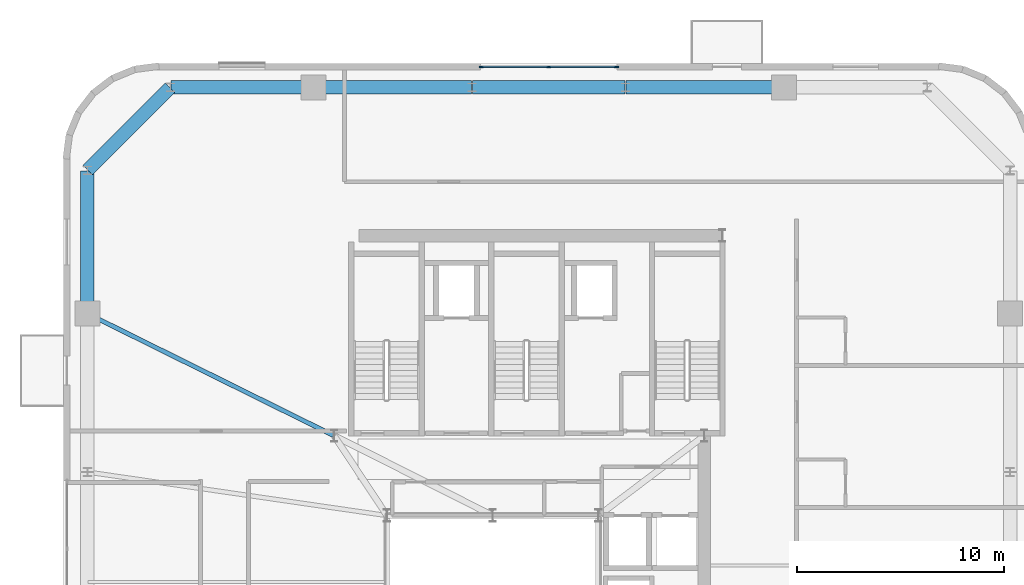
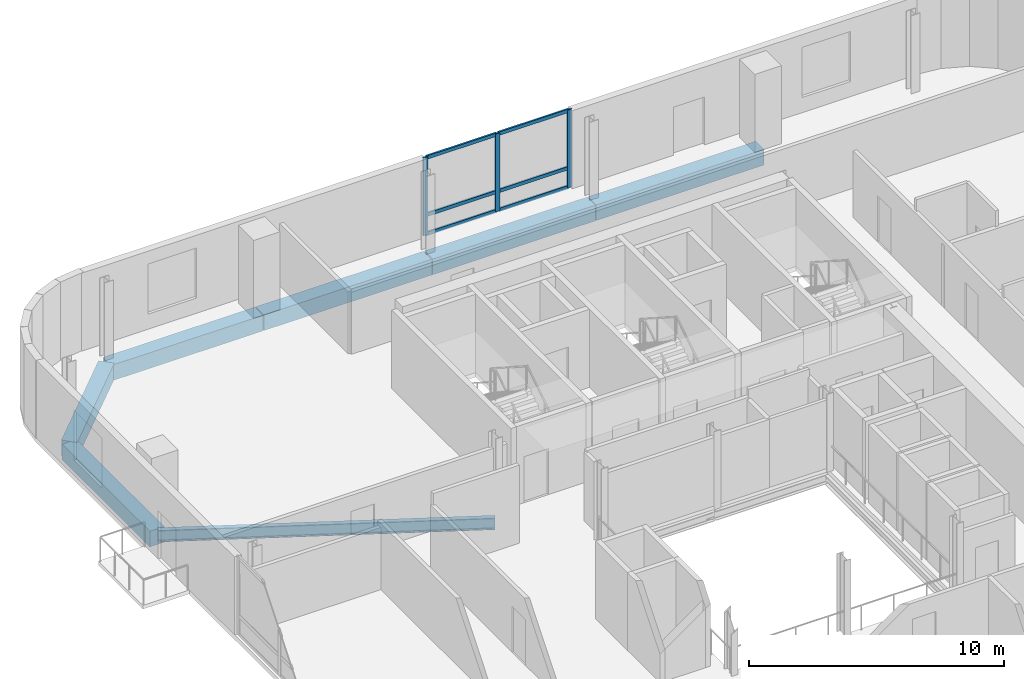
# One storey, part 6 of 15: 9 members, 7 beams, 1 element without a shape of its own.
"""IFC4 building model written with IfcOpenShell, lengths in metres."""

from ifc_helpers import new_model, si_unit, direction, frame, origin, origin_2d, place, context, subcontext, project, spatial, rectangle, i_section, extrude, source, transform, mapped, material, material_profile, profile_set, type_object, element, aggregate, save


model = new_model("IFC4")

# Units and contexts
model_context = context("Model", 3, precision=1e-05, world=origin(), true_north=direction((0.0, 1.0)))
body_context = subcontext(model_context, "Body", "Model", "MODEL_VIEW")
ifc_project = project(units=[si_unit("LENGTHUNIT", "METRE"), si_unit("AREAUNIT", "SQUARE_METRE"), si_unit("VOLUMEUNIT", "CUBIC_METRE"), si_unit("PLANEANGLEUNIT", "RADIAN"), si_unit("MASSUNIT", "GRAM", prefix="KILO")], contexts=[model_context])

# Site, building, storey
site_placement = place(None, origin())
site = spatial("IfcSite", under=ifc_project, at=site_placement, CompositionType="ELEMENT")
building_placement = place(site_placement, origin())
building = spatial("IfcBuilding", under=site, at=building_placement, Name="Vardaveli Station Tower", CompositionType="ELEMENT")
storey_placement = place(building_placement, frame((0.0, 0.0, 246.64990234375)))
storey = spatial("IfcBuildingStorey", under=building, at=storey_placement, Name="L63", CompositionType="ELEMENT", Elevation=246.64990234375)

# Beams
ifc_material_1 = material(Name="Precast concrete C45/55", Category="concrete")
ifc_material_profile_1 = material_profile(ifc_material_1, rectangle(XDim=0.64990234375, YDim=0.75, at=origin_2d()), Name="LPB 650x750")
ifc_profile_set_1 = profile_set([ifc_material_profile_1], Name="Precast concrete C45/55")
beam_type_1 = type_object("IfcBeamType", Name="BM-LPB-750", PredefinedType="BEAM", material=ifc_profile_set_1)
shared_shape_1 = source(origin(), body_context, "Body", "SweptSolid", [
    extrude(rectangle(XDim=0.64990234375, YDim=0.75, at=origin_2d()), origin(), (0.0, 0.0, 1.0), 7.60009765625),
])
for number, where, z_axis, x_axis, name in (
    (1, (50.320068359375, 47.449951171875, -0.594970703125), (-1.0, 0.0, 0.0), (0.0, -1.0, 0.0), "RBM-L63-13"),
    (2, (35.280029296875, 47.449951171875, -0.594970703125), (-1.0, 0.0, 0.0), (0.0, -1.0, 0.0), "RBM-L63-15"),
):
    element("IfcBeam", number, at=place(storey_placement, frame(where, z_axis=z_axis, x_axis=x_axis)), inside=storey, type_object=beam_type_1, Name=name, PredefinedType="BEAM", context=body_context, shape_type="MappedRepresentation", body=[
        mapped(shared_shape_1, transform((0.0, 0.0, 0.0), scale=1.0)),
    ])
shared_shape_2 = source(origin(), body_context, "Body", "SweptSolid", [
    extrude(rectangle(XDim=0.64990234375, YDim=0.75, at=origin_2d()), origin(), (0.0, 0.0, 1.0), 7.35986328125),
])
beam_1_placement = place(storey_placement, frame((42.679931640625, 47.449951171875, -0.594970703125), z_axis=(-1.0, 0.0, 0.0), x_axis=(0.0, -1.0, 0.0)))
element("IfcBeam", 3, at=beam_1_placement, inside=storey, type_object=beam_type_1, Name="RBM-L63-14", PredefinedType="BEAM", context=body_context, shape_type="MappedRepresentation", body=[
    mapped(shared_shape_2, transform((0.0, 0.0, 0.0), scale=1.0)),
])
shared_shape_3 = source(origin(), body_context, "Body", "SweptSolid", [
    extrude(rectangle(XDim=0.64990234375, YDim=0.75, at=origin_2d()), origin(), (0.0, 0.0, 1.0), 6.869873046875),
])
for number, where, z_axis, x_axis, name in (
    (4, (27.639892578125, 47.449951171875, -0.594970703125), (-1.0, 0.0, 0.0), (0.0, -1.0, 0.0), "RBM-L63-16"),
    (5, (16.75, 43.429931640625, -0.594970703125), (0.0, -1.0, 0.0), (1.0, 0.0, 0.0), "RBM-L63-18"),
):
    element("IfcBeam", number, at=place(storey_placement, frame(where, z_axis=z_axis, x_axis=x_axis)), inside=storey, type_object=beam_type_1, Name=name, PredefinedType="BEAM", context=body_context, shape_type="MappedRepresentation", body=[
        mapped(shared_shape_3, transform((0.0, 0.0, 0.0), scale=1.0)),
    ])
shared_shape_4 = source(origin(), body_context, "Body", "SweptSolid", [
    extrude(rectangle(XDim=0.64990234375, YDim=0.75, at=origin_2d()), origin(), (0.0, 0.0, 1.0), 5.61669921875),
])
beam_2_placement = place(storey_placement, frame((20.73583984375, 47.435791015625, -0.594970703125), z_axis=(-0.707106781187, -0.707106781187, 0.0), x_axis=(0.707106781187, -0.707106781187, 0.0)))
element("IfcBeam", 6, at=beam_2_placement, inside=storey, type_object=beam_type_1, Name="RBM-L63-17", PredefinedType="BEAM", context=body_context, shape_type="MappedRepresentation", body=[
    mapped(shared_shape_4, transform((0.0, 0.0, 0.0), scale=1.0)),
])
ifc_material_2 = material(Name="Structural steel S355J2", Category="steel")
ifc_material_profile_2 = material_profile(ifc_material_2, i_section(OverallWidth=0.2099609375, OverallDepth=0.550048828125, WebThickness=0.010986328125, FlangeThickness=0.01708984375, FilletRadius=0.02392578125, at=origin_2d()), Name="IPE 550")
ifc_profile_set_2 = profile_set([ifc_material_profile_2], Name="Structural steel S355J2")
beam_type_2 = type_object("IfcBeamType", Name="BM-IPE550", PredefinedType="BEAM", material=ifc_profile_set_2)
shared_shape_5 = source(origin(), body_context, "Body", "SweptSolid", [
    extrude(i_section(OverallWidth=0.2099609375, OverallDepth=0.550048828125, WebThickness=0.010986328125, FlangeThickness=0.01708984375, FilletRadius=0.02392578125, at=origin_2d()), origin(), (0.0, 0.0, 1.0), 13.238037109375),
])
beam_3_placement = place(storey_placement, frame((16.767822265625, 36.53125, -0.494873046875), z_axis=(0.896227242725, -0.443595231486, 0.0), x_axis=(0.443595231486, 0.896227242725, 0.0)))
element("IfcBeam", 7, at=beam_3_placement, inside=storey, type_object=beam_type_2, Name="GBM-L63-12", PredefinedType="BEAM", context=body_context, shape_type="MappedRepresentation", body=[
    mapped(shared_shape_5, transform((0.0, 0.0, 0.0), scale=1.0)),
])

# Curtain wall, members
ifc_material_3 = material(Name="Travertine stone and solar-control glass", Category="masonry")
curtain_wall_type = type_object("IfcCurtainWallType", Name="CW-SYS-5", PredefinedType="NOTDEFINED", material=ifc_material_3)
curtain_wall_placement = place(storey_placement, origin())
curtain_wall = element("IfcCurtainWall", 8, at=curtain_wall_placement, inside=storey, type_object=curtain_wall_type, Name="CW-L63-N", PredefinedType="NOTDEFINED")
ifc_material_4 = material(Name="Anodised aluminium alloy 6063-T6", Category="aluminium")
ifc_material_profile_3 = material_profile(ifc_material_4, rectangle(XDim=0.080078125, YDim=0.1650390625, at=origin_2d()), Name="CWT 80x165")
ifc_profile_set_3 = profile_set([ifc_material_profile_3], Name="Anodised aluminium alloy 6063-T6")
member_type_1 = type_object("IfcMemberType", Name="CW-SYS-5-TRAN", PredefinedType="NOTDEFINED", material=ifc_profile_set_3)
shared_shape_6 = source(origin(), body_context, "Body", "SweptSolid", [
    extrude(rectangle(XDim=0.080078125, YDim=0.1650390625, at=origin_2d()), origin(), (0.0, 0.0, 1.0), 3.179931640625),
])
member_1_placement = place(storey_placement, frame((42.219970703125, 48.43994140625, 0.0400390625), z_axis=(-1.0, 0.0, 0.0), x_axis=(0.0, -1.0, 0.0)))
member_1 = element("IfcMember", 9, at=member_1_placement, type_object=member_type_1, Name="CW-5 transom 1.1", ObjectType="TRANSOM", PredefinedType="USERDEFINED", context=body_context, shape_type="MappedRepresentation", body=[
    mapped(shared_shape_6, transform((0.0, 0.0, 0.0), scale=1.0)),
])
member_2_placement = place(storey_placement, frame((42.219970703125, 48.43994140625, 0.9501953125), z_axis=(-1.0, 0.0, 0.0), x_axis=(0.0, -1.0, 0.0)))
member_2 = element("IfcMember", 10, at=member_2_placement, type_object=member_type_1, Name="CW-5 transom 1.2", ObjectType="TRANSOM", PredefinedType="USERDEFINED", context=body_context, shape_type="MappedRepresentation", body=[
    mapped(shared_shape_6, transform((0.0, 0.0, 0.0), scale=1.0)),
])
member_3_placement = place(storey_placement, frame((42.219970703125, 48.43994140625, 3.690185546875), z_axis=(-1.0, 0.0, 0.0), x_axis=(0.0, -1.0, 0.0)))
member_3 = element("IfcMember", 11, at=member_3_placement, type_object=member_type_1, Name="CW-5 transom 1.3", ObjectType="TRANSOM", PredefinedType="USERDEFINED", context=body_context, shape_type="MappedRepresentation", body=[
    mapped(shared_shape_6, transform((0.0, 0.0, 0.0), scale=1.0)),
])
member_4_placement = place(storey_placement, frame((38.9599609375, 48.43994140625, 0.0400390625), z_axis=(-1.0, 0.0, 0.0), x_axis=(0.0, -1.0, 0.0)))
member_4 = element("IfcMember", 12, at=member_4_placement, type_object=member_type_1, Name="CW-5 transom 2.1", ObjectType="TRANSOM", PredefinedType="USERDEFINED", context=body_context, shape_type="MappedRepresentation", body=[
    mapped(shared_shape_6, transform((0.0, 0.0, 0.0), scale=1.0)),
])
member_5_placement = place(storey_placement, frame((38.9599609375, 48.43994140625, 0.9501953125), z_axis=(-1.0, 0.0, 0.0), x_axis=(0.0, -1.0, 0.0)))
member_5 = element("IfcMember", 13, at=member_5_placement, type_object=member_type_1, Name="CW-5 transom 2.2", ObjectType="TRANSOM", PredefinedType="USERDEFINED", context=body_context, shape_type="MappedRepresentation", body=[
    mapped(shared_shape_6, transform((0.0, 0.0, 0.0), scale=1.0)),
])
member_6_placement = place(storey_placement, frame((38.9599609375, 48.43994140625, 3.690185546875), z_axis=(-1.0, 0.0, 0.0), x_axis=(0.0, -1.0, 0.0)))
member_6 = element("IfcMember", 14, at=member_6_placement, type_object=member_type_1, Name="CW-5 transom 2.3", ObjectType="TRANSOM", PredefinedType="USERDEFINED", context=body_context, shape_type="MappedRepresentation", body=[
    mapped(shared_shape_6, transform((0.0, 0.0, 0.0), scale=1.0)),
])
ifc_material_profile_4 = material_profile(ifc_material_4, rectangle(XDim=0.080078125, YDim=0.205078125, at=origin_2d()), Name="CWM 80x205")
ifc_profile_set_4 = profile_set([ifc_material_profile_4], Name="Anodised aluminium alloy 6063-T6")
member_type_2 = type_object("IfcMemberType", Name="CW-SYS-5-MULL", PredefinedType="MULLION", material=ifc_profile_set_4)
shared_shape_7 = source(origin(), body_context, "Body", "SweptSolid", [
    extrude(rectangle(XDim=0.080078125, YDim=0.205078125, at=origin_2d()), origin(), (0.0, 0.0, 1.0), 3.72998046875),
])
member_7_placement = place(storey_placement, frame((42.260009765625, 48.43994140625, 0.0), z_axis=(0.0, 0.0, 1.0), x_axis=(0.0, -1.0, 0.0)))
member_7 = element("IfcMember", 15, at=member_7_placement, type_object=member_type_2, Name="CW-5 mullion 1", PredefinedType="MULLION", context=body_context, shape_type="MappedRepresentation", body=[
    mapped(shared_shape_7, transform((0.0, 0.0, 0.0), scale=1.0)),
])
member_8_placement = place(storey_placement, frame((39.0, 48.43994140625, 0.0), z_axis=(0.0, 0.0, 1.0), x_axis=(0.0, -1.0, 0.0)))
member_8 = element("IfcMember", 16, at=member_8_placement, type_object=member_type_2, Name="CW-5 mullion 2", PredefinedType="MULLION", context=body_context, shape_type="MappedRepresentation", body=[
    mapped(shared_shape_7, transform((0.0, 0.0, 0.0), scale=1.0)),
])
member_9_placement = place(storey_placement, frame((35.739990234375, 48.43994140625, 0.0), z_axis=(0.0, 0.0, 1.0), x_axis=(0.0, -1.0, 0.0)))
member_9 = element("IfcMember", 17, at=member_9_placement, type_object=member_type_2, Name="CW-5 mullion 3", PredefinedType="MULLION", context=body_context, shape_type="MappedRepresentation", body=[
    mapped(shared_shape_7, transform((0.0, 0.0, 0.0), scale=1.0)),
])
aggregate(curtain_wall, [member_7, member_8, member_9, member_1, member_2, member_3, member_4, member_5, member_6])

save(model, "model.ifc")
